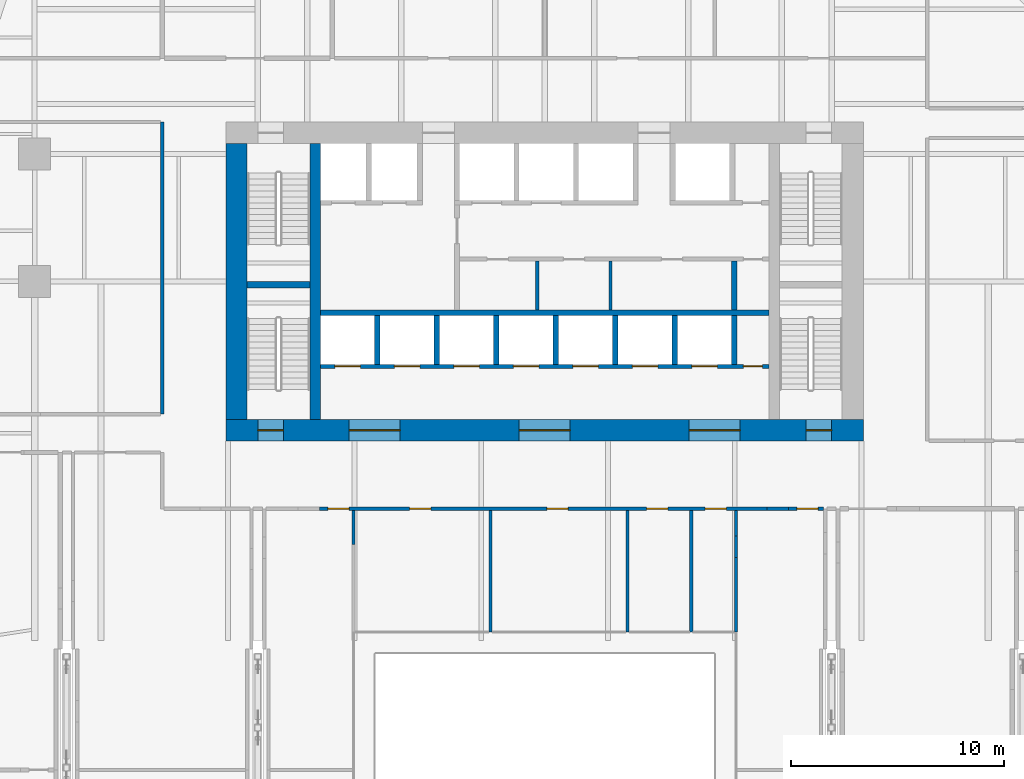
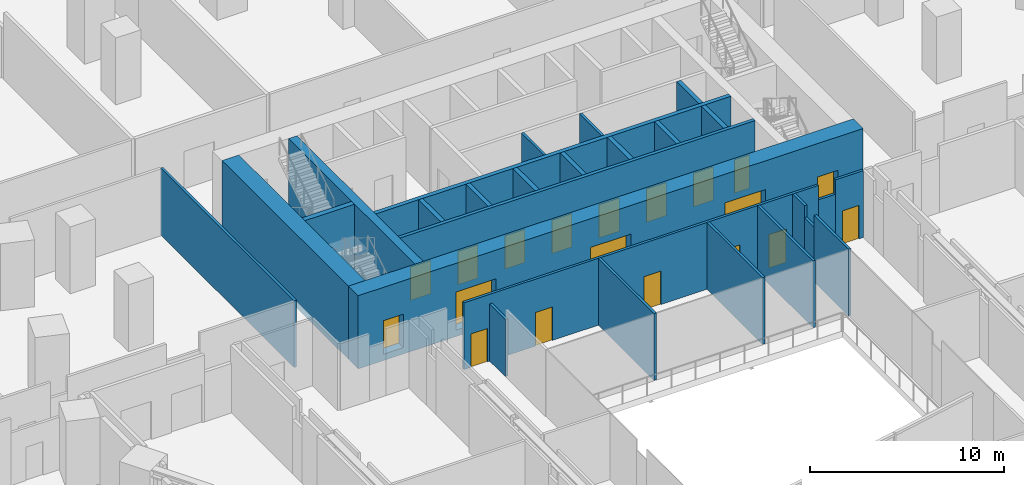
# One storey, part 17 of 32: 27 walls, 19 doors, 19 openings.
"""IFC4 building model written with IfcOpenShell, lengths in metres."""

from ifc_helpers import new_model, si_unit, direction, frame, frame_2d, origin, place, context, subcontext, project, spatial, rectangle, extrude, material, layer, layer_set, type_object, element, fill, save


model = new_model("IFC4")

# Units and contexts
model_context = context("Model", 3, precision=1e-05, world=origin(), true_north=direction((0.0, 1.0)))
body_context = subcontext(model_context, "Body", "Model", "MODEL_VIEW")
ifc_project = project(units=[si_unit("LENGTHUNIT", "METRE"), si_unit("AREAUNIT", "SQUARE_METRE"), si_unit("VOLUMEUNIT", "CUBIC_METRE"), si_unit("PLANEANGLEUNIT", "RADIAN"), si_unit("MASSUNIT", "GRAM", prefix="KILO")], contexts=[model_context])

# Site, building, storey
site_placement = place(None, origin())
site = spatial("IfcSite", under=ifc_project, at=site_placement, CompositionType="ELEMENT")
building_placement = place(site_placement, origin())
building = spatial("IfcBuilding", under=site, at=building_placement, Name="Isthmus Gate Tower", CompositionType="ELEMENT")
storey_placement = place(building_placement, frame((0.0, 0.0, 18.0)))
storey = spatial("IfcBuildingStorey", under=building, at=storey_placement, Name="L02", CompositionType="ELEMENT", Elevation=18.0)

# Wall, openings, doors
ifc_material_1 = material(Name="Gypsum board on cold-formed steel studs", Category="steel")
ifc_layer_1 = layer(ifc_material_1, 0.14990234375)
ifc_layer_set_1 = layer_set([ifc_layer_1])
wall_type_1 = type_object("IfcWallType", Name="Partition 150 gypsum board on steel studs", PredefinedType="PARTITIONING", material=ifc_layer_set_1)
wall_1_placement = place(storey_placement, frame((-10.596435546875, -3.199951171875, 0.0), z_axis=(0.0, 0.0, 1.0), x_axis=(1.0, 0.0, 0.0)))
wall_1 = element("IfcWall", 1, at=wall_1_placement, inside=storey, type_object=wall_type_1, Name="Partition", PredefinedType="PARTITIONING", context=body_context, shape_type="SweptSolid", body=[
    extrude(rectangle(XDim=21.066162109375, YDim=0.14990234375, at=frame_2d((10.533203125, 0.0))), origin(), (0.0, 0.0, 1.0), 4.199951171875),
])
opening_1_placement = place(wall_1_placement, frame((0.39990234375, 0.0, 0.0)))
opening_1 = element("IfcOpeningElement", 2, at=opening_1_placement, cuts=wall_1, Name="Opening DP02-18", PredefinedType="OPENING", context=body_context, shape_type="SweptSolid", body=[
    extrude(rectangle(XDim=1.0, YDim=2.10009765625, at=frame_2d((0.5, 1.050048828125))), frame((0.0, 0.0849609375, 0.0), z_axis=(0.0, -1.0, 0.0), x_axis=(1.0, 0.0, 0.0)), (0.0, 0.0, 1.0), 0.169921875),
])
opening_2_placement = place(wall_1_placement, frame((4.246337890625, 0.0, 0.0)))
opening_2 = element("IfcOpeningElement", 3, at=opening_2_placement, cuts=wall_1, Name="Opening DP02-36", PredefinedType="OPENING", context=body_context, shape_type="SweptSolid", body=[
    extrude(rectangle(XDim=1.0, YDim=2.10009765625, at=frame_2d((0.5, 1.050048828125))), frame((0.0, 0.0849609375, 0.0), z_axis=(0.0, -1.0, 0.0), x_axis=(1.0, 0.0, 0.0)), (0.0, 0.0, 1.0), 0.169921875),
])
opening_3_placement = place(wall_1_placement, frame((10.6962890625, 0.0, 0.0)))
opening_3 = element("IfcOpeningElement", 4, at=opening_3_placement, cuts=wall_1, Name="Opening DP02-37", PredefinedType="OPENING", context=body_context, shape_type="SweptSolid", body=[
    extrude(rectangle(XDim=1.0, YDim=2.10009765625, at=frame_2d((0.5, 1.050048828125))), frame((0.0, 0.0849609375, 0.0), z_axis=(0.0, -1.0, 0.0), x_axis=(1.0, 0.0, 0.0)), (0.0, 0.0, 1.0), 0.169921875),
])
opening_4_placement = place(wall_1_placement, frame((15.396484375, 0.0, 0.0)))
opening_4 = element("IfcOpeningElement", 5, at=opening_4_placement, cuts=wall_1, Name="Opening DP02-38", PredefinedType="OPENING", context=body_context, shape_type="SweptSolid", body=[
    extrude(rectangle(XDim=1.0, YDim=2.10009765625, at=frame_2d((0.5, 1.050048828125))), frame((0.0, 0.0849609375, 0.0), z_axis=(0.0, -1.0, 0.0), x_axis=(1.0, 0.0, 0.0)), (0.0, 0.0, 1.0), 0.169921875),
])
opening_5_placement = place(wall_1_placement, frame((18.146484375, 0.0, 0.0)))
opening_5 = element("IfcOpeningElement", 6, at=opening_5_placement, cuts=wall_1, Name="Opening DP02-39", PredefinedType="OPENING", context=body_context, shape_type="SweptSolid", body=[
    extrude(rectangle(XDim=1.0, YDim=2.10009765625, at=frame_2d((0.5, 1.050048828125))), frame((0.0, 0.0849609375, 0.0), z_axis=(0.0, -1.0, 0.0), x_axis=(1.0, 0.0, 0.0)), (0.0, 0.0, 1.0), 0.169921875),
])
ifc_material_2 = material(Name="Hollow metal frame with solid-core timber leaf", Category="wood")
door_type_1 = type_object("IfcDoorType", Name="Single swing door 1000 x 2100", OperationType="SINGLE_SWING_LEFT", PredefinedType="DOOR", material=ifc_material_2)
door_1_placement = place(opening_1_placement, origin())
door_1 = element("IfcDoor", 7, at=door_1_placement, inside=storey, type_object=door_type_1, Name="Door DP02-18", OperationType="SINGLE_SWING_LEFT", OverallHeight=2.10009765625, OverallWidth=1.0, PredefinedType="DOOR", context=body_context, shape_type="SweptSolid", body=[
    extrude(rectangle(XDim=1.0, YDim=2.10009765625, at=frame_2d((0.5, 1.050048828125))), frame((0.0, 0.02490234375, 0.0), z_axis=(0.0, -1.0, 0.0), x_axis=(1.0, 0.0, 0.0)), (0.0, 0.0, 1.0), 0.050048828125),
])
fill(opening_1, door_1)
door_2_placement = place(opening_2_placement, origin())
door_2 = element("IfcDoor", 8, at=door_2_placement, inside=storey, type_object=door_type_1, Name="Door DP02-36", OperationType="SINGLE_SWING_LEFT", OverallHeight=2.10009765625, OverallWidth=1.0, PredefinedType="DOOR", context=body_context, shape_type="SweptSolid", body=[
    extrude(rectangle(XDim=1.0, YDim=2.10009765625, at=frame_2d((0.5, 1.050048828125))), frame((0.0, 0.02490234375, 0.0), z_axis=(0.0, -1.0, 0.0), x_axis=(1.0, 0.0, 0.0)), (0.0, 0.0, 1.0), 0.050048828125),
])
fill(opening_2, door_2)
door_3_placement = place(opening_3_placement, origin())
door_3 = element("IfcDoor", 9, at=door_3_placement, inside=storey, type_object=door_type_1, Name="Door DP02-37", OperationType="SINGLE_SWING_LEFT", OverallHeight=2.10009765625, OverallWidth=1.0, PredefinedType="DOOR", context=body_context, shape_type="SweptSolid", body=[
    extrude(rectangle(XDim=1.0, YDim=2.10009765625, at=frame_2d((0.5, 1.050048828125))), frame((0.0, 0.02490234375, 0.0), z_axis=(0.0, -1.0, 0.0), x_axis=(1.0, 0.0, 0.0)), (0.0, 0.0, 1.0), 0.050048828125),
])
fill(opening_3, door_3)
door_4_placement = place(opening_4_placement, origin())
door_4 = element("IfcDoor", 10, at=door_4_placement, inside=storey, type_object=door_type_1, Name="Door DP02-38", OperationType="SINGLE_SWING_LEFT", OverallHeight=2.10009765625, OverallWidth=1.0, PredefinedType="DOOR", context=body_context, shape_type="SweptSolid", body=[
    extrude(rectangle(XDim=1.0, YDim=2.10009765625, at=frame_2d((0.5, 1.050048828125))), frame((0.0, 0.02490234375, 0.0), z_axis=(0.0, -1.0, 0.0), x_axis=(1.0, 0.0, 0.0)), (0.0, 0.0, 1.0), 0.050048828125),
])
fill(opening_4, door_4)
door_5_placement = place(opening_5_placement, origin())
door_5 = element("IfcDoor", 11, at=door_5_placement, inside=storey, type_object=door_type_1, Name="Door DP02-39", OperationType="SINGLE_SWING_LEFT", OverallHeight=2.10009765625, OverallWidth=1.0, PredefinedType="DOOR", context=body_context, shape_type="SweptSolid", body=[
    extrude(rectangle(XDim=1.0, YDim=2.10009765625, at=frame_2d((0.5, 1.050048828125))), frame((0.0, 0.02490234375, 0.0), z_axis=(0.0, -1.0, 0.0), x_axis=(1.0, 0.0, 0.0)), (0.0, 0.0, 1.0), 0.050048828125),
])
fill(opening_5, door_5)

# Wall
wall_2_placement = place(storey_placement, frame((10.4697265625, -3.199951171875, 0.0), z_axis=(0.0, 0.0, 1.0), x_axis=(1.0, 0.0, 0.0)))
element("IfcWall", 12, at=wall_2_placement, inside=storey, type_object=wall_type_1, Name="Partition", PredefinedType="PARTITIONING", context=body_context, shape_type="SweptSolid", body=[
    extrude(rectangle(XDim=1.0, YDim=0.14990234375, at=frame_2d((0.5, 0.0))), origin(), (0.0, 0.0, 1.0), 3.29833984375),
])

# Wall, opening, door
wall_3_placement = place(storey_placement, frame((11.4697265625, -3.199951171875, 0.0), z_axis=(0.0, 0.0, 1.0), x_axis=(1.0, 0.0, 0.0)))
wall_3 = element("IfcWall", 13, at=wall_3_placement, inside=storey, type_object=wall_type_1, Name="Partition", PredefinedType="PARTITIONING", context=body_context, shape_type="SweptSolid", body=[
    extrude(rectangle(XDim=1.6552734375, YDim=0.14990234375, at=frame_2d((0.82763671875, 0.0))), origin(), (0.0, 0.0, 1.0), 4.199951171875),
])
opening_6_placement = place(wall_3_placement, frame((0.39990234375, 0.0, 0.0)))
opening_6 = element("IfcOpeningElement", 14, at=opening_6_placement, cuts=wall_3, Name="Opening DP02-24", PredefinedType="OPENING", context=body_context, shape_type="SweptSolid", body=[
    extrude(rectangle(XDim=1.0, YDim=2.10009765625, at=frame_2d((0.5, 1.050048828125))), frame((0.0, 0.0849609375, 0.0), z_axis=(0.0, -1.0, 0.0), x_axis=(1.0, 0.0, 0.0)), (0.0, 0.0, 1.0), 0.169921875),
])
door_6_placement = place(opening_6_placement, origin())
door_6 = element("IfcDoor", 15, at=door_6_placement, inside=storey, type_object=door_type_1, Name="Door DP02-24", OperationType="SINGLE_SWING_LEFT", OverallHeight=2.10009765625, OverallWidth=1.0, PredefinedType="DOOR", context=body_context, shape_type="SweptSolid", body=[
    extrude(rectangle(XDim=1.0, YDim=2.10009765625, at=frame_2d((0.5, 1.050048828125))), frame((0.0, 0.02490234375, 0.0), z_axis=(0.0, -1.0, 0.0), x_axis=(1.0, 0.0, 0.0)), (0.0, 0.0, 1.0), 0.050048828125),
])
fill(opening_6, door_6)

# Walls
wall_4_placement = place(storey_placement, frame((-18.0, 1.251220703125, 0.0), z_axis=(0.0, 0.0, 1.0), x_axis=(0.0, 1.0, 0.0)))
element("IfcWall", 16, at=wall_4_placement, inside=storey, type_object=wall_type_1, Name="Partition", PredefinedType="PARTITIONING", context=body_context, shape_type="SweptSolid", body=[
    extrude(rectangle(XDim=13.748779296875, YDim=0.14990234375, at=frame_2d((6.87451171875, 0.0))), origin(), (0.0, 0.0, 1.0), 4.199951171875),
])
wall_5_placement = place(storey_placement, frame((-9.0, -4.881103515625, 0.0), z_axis=(0.0, 0.0, 1.0), x_axis=(0.0, 1.0, 0.0)))
element("IfcWall", 17, at=wall_5_placement, inside=storey, type_object=wall_type_1, Name="Partition", PredefinedType="PARTITIONING", context=body_context, shape_type="SweptSolid", body=[
    extrude(rectangle(XDim=1.606201171875, YDim=0.14990234375, at=frame_2d((0.80322265625, 0.0))), origin(), (0.0, 0.0, 1.0), 3.599853515625),
])
for number, where, z_axis, x_axis, name in (
    (18, (-2.550048828125, -9.0, 0.0), (0.0, 0.0, 1.0), (0.0, 1.0, 0.0), "Partition"),
    (19, (3.89990234375, -9.0, 0.0), (0.0, 0.0, 1.0), (0.0, 1.0, 0.0), "Partition"),
    (20, (6.89990234375, -9.0, 0.0), (0.0, 0.0, 1.0), (0.0, 1.0, 0.0), "Partition"),
):
    element("IfcWall", number, at=place(storey_placement, frame(where, z_axis=z_axis, x_axis=x_axis)), inside=storey, type_object=wall_type_1, Name=name, PredefinedType="PARTITIONING", context=body_context, shape_type="SweptSolid", body=[
        extrude(rectangle(XDim=5.72509765625, YDim=0.14990234375, at=frame_2d((2.862548828125, 0.0))), origin(), (0.0, 0.0, 1.0), 4.199951171875),
    ])
wall_6_placement = place(storey_placement, frame((9.0, -9.0, 0.0), z_axis=(0.0, 0.0, 1.0), x_axis=(0.0, 1.0, 0.0)))
element("IfcWall", 21, at=wall_6_placement, inside=storey, type_object=wall_type_1, Name="Partition", PredefinedType="PARTITIONING", context=body_context, shape_type="SweptSolid", body=[
    extrude(rectangle(XDim=3.5126953125, YDim=0.14990234375, at=frame_2d((1.75634765625, 0.0))), origin(), (0.0, 0.0, 1.0), 4.199951171875),
])
wall_7_placement = place(storey_placement, frame((9.0, -5.4873046875, 0.0), z_axis=(0.0, 0.0, 1.0), x_axis=(0.0, 1.0, 0.0)))
element("IfcWall", 22, at=wall_7_placement, inside=storey, type_object=wall_type_1, Name="Partition", PredefinedType="PARTITIONING", context=body_context, shape_type="SweptSolid", body=[
    extrude(rectangle(XDim=1.0, YDim=0.14990234375, at=frame_2d((0.5, 0.0))), origin(), (0.0, 0.0, 1.0), 3.45068359375),
])
wall_8_placement = place(storey_placement, frame((9.0, -4.4873046875, 0.0), z_axis=(0.0, 0.0, 1.0), x_axis=(0.0, 1.0, 0.0)))
element("IfcWall", 23, at=wall_8_placement, inside=storey, type_object=wall_type_1, Name="Partition", PredefinedType="PARTITIONING", context=body_context, shape_type="SweptSolid", body=[
    extrude(rectangle(XDim=1.21240234375, YDim=0.14990234375, at=frame_2d((0.606201171875, 0.0))), origin(), (0.0, 0.0, 1.0), 4.199951171875),
])
ifc_material_3 = material(Name="Concrete f'c 70 MPa", Category="concrete")
ifc_layer_2 = layer(ifc_material_3, 0.5)
ifc_layer_set_2 = layer_set([ifc_layer_2], Name="RC CORE SPINE WALL 500 F'C 70")
wall_type_2 = type_object("IfcWallType", Name="RC CORE SPINE WALL 500 F'C 70", PredefinedType="SOLIDWALL", material=ifc_layer_set_2)
wall_9_placement = place(storey_placement, frame((-10.800048828125, 1.0, -0.39990234375), z_axis=(0.0, 0.0, 1.0), x_axis=(0.0, 1.0, 0.0)))
element("IfcWall", 24, at=wall_9_placement, inside=storey, type_object=wall_type_2, Name="str-corewall-L02-SPW", PredefinedType="SOLIDWALL", context=body_context, shape_type="SweptSolid", body=[
    extrude(rectangle(XDim=13.0, YDim=0.5, at=frame_2d((6.5, 0.0))), origin(), (0.0, 0.0, 1.0), 4.599853515625),
])

# Wall, openings, doors
ifc_material_4 = material(Name="Concrete f'c 70 MPa", Category="concrete")
ifc_layer_3 = layer(ifc_material_4, 1.0)
ifc_layer_set_3 = layer_set([ifc_layer_3], Name="RC CORE WALL 1000 F'C 70")
wall_type_3 = type_object("IfcWallType", Name="RC CORE WALL 1000 F'C 70", PredefinedType="SOLIDWALL", material=ifc_layer_set_3)
wall_10_placement = place(storey_placement, frame((-15.0, 0.5, -0.39990234375), z_axis=(0.0, 0.0, 1.0), x_axis=(1.0, 0.0, 0.0)))
wall_10 = element("IfcWall", 25, at=wall_10_placement, inside=storey, type_object=wall_type_3, Name="str-corewall-L02-S", PredefinedType="SOLIDWALL", context=body_context, shape_type="SweptSolid", body=[
    extrude(rectangle(XDim=30.0, YDim=1.0, at=frame_2d((15.0, 0.0))), origin(), (0.0, 0.0, 1.0), 4.599853515625),
])
opening_7_placement = place(wall_10_placement, frame((5.800048828125, 0.0, 0.39990234375)))
opening_7 = element("IfcOpeningElement", 26, at=opening_7_placement, cuts=wall_10, Name="Opening DC-A03-08", PredefinedType="OPENING", context=body_context, shape_type="SweptSolid", body=[
    extrude(rectangle(XDim=2.39990234375, YDim=2.39990234375, at=frame_2d((1.199951171875, 1.199951171875))), frame((0.0, 0.510009765625, 0.0), z_axis=(0.0, -1.0, 0.0), x_axis=(1.0, 0.0, 0.0)), (0.0, 0.0, 1.0), 1.02001953125),
])
opening_8_placement = place(wall_10_placement, frame((13.800048828125, 0.0, 0.39990234375)))
opening_8 = element("IfcOpeningElement", 27, at=opening_8_placement, cuts=wall_10, Name="Opening DC-A03-09", PredefinedType="OPENING", context=body_context, shape_type="SweptSolid", body=[
    extrude(rectangle(XDim=2.39990234375, YDim=2.39990234375, at=frame_2d((1.199951171875, 1.199951171875))), frame((0.0, 0.510009765625, 0.0), z_axis=(0.0, -1.0, 0.0), x_axis=(1.0, 0.0, 0.0)), (0.0, 0.0, 1.0), 1.02001953125),
])
opening_9_placement = place(wall_10_placement, frame((21.800048828125, 0.0, 0.39990234375)))
opening_9 = element("IfcOpeningElement", 28, at=opening_9_placement, cuts=wall_10, Name="Opening DC-A03-10", PredefinedType="OPENING", context=body_context, shape_type="SweptSolid", body=[
    extrude(rectangle(XDim=2.39990234375, YDim=2.39990234375, at=frame_2d((1.199951171875, 1.199951171875))), frame((0.0, 0.510009765625, 0.0), z_axis=(0.0, -1.0, 0.0), x_axis=(1.0, 0.0, 0.0)), (0.0, 0.0, 1.0), 1.02001953125),
])
opening_10_placement = place(wall_10_placement, frame((1.5, 0.0, 0.39990234375)))
opening_10 = element("IfcOpeningElement", 29, at=opening_10_placement, cuts=wall_10, Name="Opening DC-A03-15", PredefinedType="OPENING", context=body_context, shape_type="SweptSolid", body=[
    extrude(rectangle(XDim=1.199951171875, YDim=2.10009765625, at=frame_2d((0.60009765625, 1.050048828125))), frame((0.0, 0.510009765625, 0.0), z_axis=(0.0, -1.0, 0.0), x_axis=(1.0, 0.0, 0.0)), (0.0, 0.0, 1.0), 1.02001953125),
])
opening_11_placement = place(wall_10_placement, frame((27.300048828125, 0.0, 0.39990234375)))
opening_11 = element("IfcOpeningElement", 30, at=opening_11_placement, cuts=wall_10, Name="Opening DC-A03-16", PredefinedType="OPENING", context=body_context, shape_type="SweptSolid", body=[
    extrude(rectangle(XDim=1.199951171875, YDim=2.10009765625, at=frame_2d((0.60009765625, 1.050048828125))), frame((0.0, 0.510009765625, 0.0), z_axis=(0.0, -1.0, 0.0), x_axis=(1.0, 0.0, 0.0)), (0.0, 0.0, 1.0), 1.02001953125),
])
ifc_material_5 = material(Name="Laminated safety glass in steel frame, fire-rated", Category="steel")
door_type_2 = type_object("IfcDoorType", Name="LOBBY ENTRANCE FIRE DOOR 2400 X 2400 60 MIN", OperationType="DOUBLE_DOOR_DOUBLE_SWING", PredefinedType="DOOR", material=ifc_material_5)
door_7_placement = place(opening_7_placement, origin())
door_7 = element("IfcDoor", 31, at=door_7_placement, inside=storey, type_object=door_type_2, Name="Lobby Entrance PS-W", OperationType="DOUBLE_DOOR_DOUBLE_SWING", OverallHeight=2.39990234375, OverallWidth=2.39990234375, PredefinedType="DOOR", context=body_context, shape_type="SweptSolid", body=[
    extrude(rectangle(XDim=2.39990234375, YDim=2.39990234375, at=frame_2d((1.199951171875, 1.199951171875))), frame((0.0, 0.02490234375, 0.0), z_axis=(0.0, -1.0, 0.0), x_axis=(1.0, 0.0, 0.0)), (0.0, 0.0, 1.0), 0.050048828125),
])
fill(opening_7, door_7)
door_8_placement = place(opening_8_placement, origin())
door_8 = element("IfcDoor", 32, at=door_8_placement, inside=storey, type_object=door_type_2, Name="Lobby Entrance PS-C", OperationType="DOUBLE_DOOR_DOUBLE_SWING", OverallHeight=2.39990234375, OverallWidth=2.39990234375, PredefinedType="DOOR", context=body_context, shape_type="SweptSolid", body=[
    extrude(rectangle(XDim=2.39990234375, YDim=2.39990234375, at=frame_2d((1.199951171875, 1.199951171875))), frame((0.0, 0.02490234375, 0.0), z_axis=(0.0, -1.0, 0.0), x_axis=(1.0, 0.0, 0.0)), (0.0, 0.0, 1.0), 0.050048828125),
])
fill(opening_8, door_8)
door_9_placement = place(opening_9_placement, origin())
door_9 = element("IfcDoor", 33, at=door_9_placement, inside=storey, type_object=door_type_2, Name="Lobby Entrance PS-E", OperationType="DOUBLE_DOOR_DOUBLE_SWING", OverallHeight=2.39990234375, OverallWidth=2.39990234375, PredefinedType="DOOR", context=body_context, shape_type="SweptSolid", body=[
    extrude(rectangle(XDim=2.39990234375, YDim=2.39990234375, at=frame_2d((1.199951171875, 1.199951171875))), frame((0.0, 0.02490234375, 0.0), z_axis=(0.0, -1.0, 0.0), x_axis=(1.0, 0.0, 0.0)), (0.0, 0.0, 1.0), 0.050048828125),
])
fill(opening_9, door_9)
ifc_material_6 = material(Name="Steel door leaf, fire-rated", Category="steel")
door_type_3 = type_object("IfcDoorType", Name="STAIR FIRE DOOR 1200 X 2100 90 MIN", OperationType="SINGLE_SWING_LEFT", PredefinedType="DOOR", material=ifc_material_6)
door_10_placement = place(opening_10_placement, origin())
door_10 = element("IfcDoor", 34, at=door_10_placement, inside=storey, type_object=door_type_3, Name="Exit Stair 7 Door", OperationType="SINGLE_SWING_LEFT", OverallHeight=2.10009765625, OverallWidth=1.199951171875, PredefinedType="DOOR", context=body_context, shape_type="SweptSolid", body=[
    extrude(rectangle(XDim=1.199951171875, YDim=2.10009765625, at=frame_2d((0.60009765625, 1.050048828125))), frame((0.0, 0.02490234375, 0.0), z_axis=(0.0, -1.0, 0.0), x_axis=(1.0, 0.0, 0.0)), (0.0, 0.0, 1.0), 0.050048828125),
])
fill(opening_10, door_10)
door_11_placement = place(opening_11_placement, origin())
door_11 = element("IfcDoor", 35, at=door_11_placement, inside=storey, type_object=door_type_3, Name="Exit Stair 8 Door", OperationType="SINGLE_SWING_RIGHT", OverallHeight=2.10009765625, OverallWidth=1.199951171875, PredefinedType="DOOR", context=body_context, shape_type="SweptSolid", body=[
    extrude(rectangle(XDim=1.199951171875, YDim=2.10009765625, at=frame_2d((0.60009765625, 1.050048828125))), frame((0.0, 0.02490234375, 0.0), z_axis=(0.0, -1.0, 0.0), x_axis=(1.0, 0.0, 0.0)), (0.0, 0.0, 1.0), 0.050048828125),
])
fill(opening_11, door_11)

# Walls
wall_11_placement = place(storey_placement, frame((-14.5, 1.0, -0.39990234375), z_axis=(0.0, 0.0, 1.0), x_axis=(0.0, 1.0, 0.0)))
element("IfcWall", 36, at=wall_11_placement, inside=storey, type_object=wall_type_3, Name="str-corewall-L02-W", PredefinedType="SOLIDWALL", context=body_context, shape_type="SweptSolid", body=[
    extrude(rectangle(XDim=13.0, YDim=1.0, at=frame_2d((6.5, 0.0))), origin(), (0.0, 0.0, 1.0), 4.599853515625),
])
ifc_material_7 = material(Name="Gypsum board on steel studs, fire-rated", Category="steel")
ifc_layer_4 = layer(ifc_material_7, 0.14990234375)
ifc_layer_set_4 = layer_set([ifc_layer_4], Name="ROOM PARTITION 150 60 MIN")
wall_type_4 = type_object("IfcWallType", Name="ROOM PARTITION 150 60 MIN", PredefinedType="PARTITIONING", material=ifc_layer_set_4)
for number, where, z_axis, x_axis, name in (
    (37, (-0.35009765625, 6.14990234375, 0.0), (0.0, 0.0, 1.0), (0.0, 1.0, 0.0), "L02 ROOM PARTITION 150 60 MIN"),
    (38, (3.10009765625, 6.14990234375, 0.0), (0.0, 0.0, 1.0), (0.0, 1.0, 0.0), "L02 ROOM PARTITION 150 60 MIN"),
):
    element("IfcWall", number, at=place(storey_placement, frame(where, z_axis=z_axis, x_axis=x_axis)), inside=storey, type_object=wall_type_4, Name=name, PredefinedType="PARTITIONING", context=body_context, shape_type="SweptSolid", body=[
        extrude(rectangle(XDim=2.300048828125, YDim=0.14990234375, at=frame_2d((1.14990234375, 0.0))), origin(), (0.0, 0.0, 1.0), 4.199951171875),
    ])

# Wall, openings, doors
ifc_material_8 = material(Name="Fire-rated blockwork masonry, 15 MPa", Category="masonry")
ifc_layer_5 = layer(ifc_material_8, 0.199951171875)
ifc_layer_set_5 = layer_set([ifc_layer_5], Name="SHAFT FRONT WALL 200 120 MIN")
wall_type_5 = type_object("IfcWallType", Name="SHAFT FRONT WALL 200 120 MIN", PredefinedType="PARTITIONING", material=ifc_layer_set_5)
wall_12_placement = place(storey_placement, frame((-10.550048828125, 3.5, 0.0), z_axis=(0.0, 0.0, 1.0), x_axis=(1.0, 0.0, 0.0)))
wall_12 = element("IfcWall", 39, at=wall_12_placement, inside=storey, type_object=wall_type_5, Name="L02 SHAFT FRONT WALL 200 120 MIN", PredefinedType="PARTITIONING", context=body_context, shape_type="SweptSolid", body=[
    extrude(rectangle(XDim=21.10009765625, YDim=0.199951171875, at=frame_2d((10.550048828125, 0.0))), origin(), (0.0, 0.0, 1.0), 4.199951171875),
])
opening_12_placement = place(wall_12_placement, frame((0.675048828125, 0.0, 0.0)))
opening_12 = element("IfcOpeningElement", 40, at=opening_12_placement, cuts=wall_12, Name="Opening LD-LA1", PredefinedType="OPENING", context=body_context, shape_type="SweptSolid", body=[
    extrude(rectangle(XDim=1.199951171875, YDim=2.10009765625, at=frame_2d((0.60009765625, 1.050048828125))), frame((0.0, 0.10986328125, 0.0), z_axis=(0.0, -1.0, 0.0), x_axis=(1.0, 0.0, 0.0)), (0.0, 0.0, 1.0), 0.219970703125),
])
opening_13_placement = place(wall_12_placement, frame((3.47509765625, 0.0, 0.0)))
opening_13 = element("IfcOpeningElement", 41, at=opening_13_placement, cuts=wall_12, Name="Opening LD-LA2", PredefinedType="OPENING", context=body_context, shape_type="SweptSolid", body=[
    extrude(rectangle(XDim=1.199951171875, YDim=2.10009765625, at=frame_2d((0.60009765625, 1.050048828125))), frame((0.0, 0.10986328125, 0.0), z_axis=(0.0, -1.0, 0.0), x_axis=(1.0, 0.0, 0.0)), (0.0, 0.0, 1.0), 0.219970703125),
])
opening_14_placement = place(wall_12_placement, frame((6.27490234375, 0.0, 0.0)))
opening_14 = element("IfcOpeningElement", 42, at=opening_14_placement, cuts=wall_12, Name="Opening LD-LA3", PredefinedType="OPENING", context=body_context, shape_type="SweptSolid", body=[
    extrude(rectangle(XDim=1.199951171875, YDim=2.10009765625, at=frame_2d((0.60009765625, 1.050048828125))), frame((0.0, 0.10986328125, 0.0), z_axis=(0.0, -1.0, 0.0), x_axis=(1.0, 0.0, 0.0)), (0.0, 0.0, 1.0), 0.219970703125),
])
opening_15_placement = place(wall_12_placement, frame((9.074951171875, 0.0, 0.0)))
opening_15 = element("IfcOpeningElement", 43, at=opening_15_placement, cuts=wall_12, Name="Opening LD-LA4", PredefinedType="OPENING", context=body_context, shape_type="SweptSolid", body=[
    extrude(rectangle(XDim=1.199951171875, YDim=2.10009765625, at=frame_2d((0.60009765625, 1.050048828125))), frame((0.0, 0.10986328125, 0.0), z_axis=(0.0, -1.0, 0.0), x_axis=(1.0, 0.0, 0.0)), (0.0, 0.0, 1.0), 0.219970703125),
])
opening_16_placement = place(wall_12_placement, frame((11.875, 0.0, 0.0)))
opening_16 = element("IfcOpeningElement", 44, at=opening_16_placement, cuts=wall_12, Name="Opening LD-LA5", PredefinedType="OPENING", context=body_context, shape_type="SweptSolid", body=[
    extrude(rectangle(XDim=1.199951171875, YDim=2.10009765625, at=frame_2d((0.60009765625, 1.050048828125))), frame((0.0, 0.10986328125, 0.0), z_axis=(0.0, -1.0, 0.0), x_axis=(1.0, 0.0, 0.0)), (0.0, 0.0, 1.0), 0.219970703125),
])
opening_17_placement = place(wall_12_placement, frame((14.675048828125, 0.0, 0.0)))
opening_17 = element("IfcOpeningElement", 45, at=opening_17_placement, cuts=wall_12, Name="Opening LD-LA6", PredefinedType="OPENING", context=body_context, shape_type="SweptSolid", body=[
    extrude(rectangle(XDim=1.199951171875, YDim=2.10009765625, at=frame_2d((0.60009765625, 1.050048828125))), frame((0.0, 0.10986328125, 0.0), z_axis=(0.0, -1.0, 0.0), x_axis=(1.0, 0.0, 0.0)), (0.0, 0.0, 1.0), 0.219970703125),
])
opening_18_placement = place(wall_12_placement, frame((17.47509765625, 0.0, 0.0)))
opening_18 = element("IfcOpeningElement", 46, at=opening_18_placement, cuts=wall_12, Name="Opening LD-LA7", PredefinedType="OPENING", context=body_context, shape_type="SweptSolid", body=[
    extrude(rectangle(XDim=1.199951171875, YDim=2.10009765625, at=frame_2d((0.60009765625, 1.050048828125))), frame((0.0, 0.10986328125, 0.0), z_axis=(0.0, -1.0, 0.0), x_axis=(1.0, 0.0, 0.0)), (0.0, 0.0, 1.0), 0.219970703125),
])
opening_19_placement = place(wall_12_placement, frame((19.89990234375, 0.0, 0.0)))
opening_19 = element("IfcOpeningElement", 47, at=opening_19_placement, cuts=wall_12, Name="Opening DC-A03-02", PredefinedType="OPENING", context=body_context, shape_type="SweptSolid", body=[
    extrude(rectangle(XDim=0.89990234375, YDim=2.10009765625, at=frame_2d((0.449951171875, 1.050048828125))), frame((0.0, 0.10986328125, 0.0), z_axis=(0.0, -1.0, 0.0), x_axis=(1.0, 0.0, 0.0)), (0.0, 0.0, 1.0), 0.219970703125),
])
ifc_material_9 = material(Name="Stainless steel sliding leaf", Category="steel")
door_type_4 = type_object("IfcDoorType", Name="LIFT LANDING FIRE DOOR 1200 X 2100 90 MIN", OperationType="DOUBLE_DOOR_SLIDING", PredefinedType="DOOR", material=ifc_material_9)
door_12_placement = place(opening_12_placement, origin())
door_12 = element("IfcDoor", 48, at=door_12_placement, inside=storey, type_object=door_type_4, Name="Lift Landing Door LA1", OperationType="DOUBLE_DOOR_SLIDING", OverallHeight=2.10009765625, OverallWidth=1.199951171875, PredefinedType="DOOR", context=body_context, shape_type="SweptSolid", body=[
    extrude(rectangle(XDim=1.199951171875, YDim=2.10009765625, at=frame_2d((0.60009765625, 1.050048828125))), frame((0.0, 0.02490234375, 0.0), z_axis=(0.0, -1.0, 0.0), x_axis=(1.0, 0.0, 0.0)), (0.0, 0.0, 1.0), 0.050048828125),
])
fill(opening_12, door_12)
door_13_placement = place(opening_13_placement, origin())
door_13 = element("IfcDoor", 49, at=door_13_placement, inside=storey, type_object=door_type_4, Name="Lift Landing Door LA2", OperationType="DOUBLE_DOOR_SLIDING", OverallHeight=2.10009765625, OverallWidth=1.199951171875, PredefinedType="DOOR", context=body_context, shape_type="SweptSolid", body=[
    extrude(rectangle(XDim=1.199951171875, YDim=2.10009765625, at=frame_2d((0.60009765625, 1.050048828125))), frame((0.0, 0.02490234375, 0.0), z_axis=(0.0, -1.0, 0.0), x_axis=(1.0, 0.0, 0.0)), (0.0, 0.0, 1.0), 0.050048828125),
])
fill(opening_13, door_13)
door_14_placement = place(opening_14_placement, origin())
door_14 = element("IfcDoor", 50, at=door_14_placement, inside=storey, type_object=door_type_4, Name="Lift Landing Door LA3", OperationType="DOUBLE_DOOR_SLIDING", OverallHeight=2.10009765625, OverallWidth=1.199951171875, PredefinedType="DOOR", context=body_context, shape_type="SweptSolid", body=[
    extrude(rectangle(XDim=1.199951171875, YDim=2.10009765625, at=frame_2d((0.60009765625, 1.050048828125))), frame((0.0, 0.02490234375, 0.0), z_axis=(0.0, -1.0, 0.0), x_axis=(1.0, 0.0, 0.0)), (0.0, 0.0, 1.0), 0.050048828125),
])
fill(opening_14, door_14)
door_15_placement = place(opening_15_placement, origin())
door_15 = element("IfcDoor", 51, at=door_15_placement, inside=storey, type_object=door_type_4, Name="Lift Landing Door LA4", OperationType="DOUBLE_DOOR_SLIDING", OverallHeight=2.10009765625, OverallWidth=1.199951171875, PredefinedType="DOOR", context=body_context, shape_type="SweptSolid", body=[
    extrude(rectangle(XDim=1.199951171875, YDim=2.10009765625, at=frame_2d((0.60009765625, 1.050048828125))), frame((0.0, 0.02490234375, 0.0), z_axis=(0.0, -1.0, 0.0), x_axis=(1.0, 0.0, 0.0)), (0.0, 0.0, 1.0), 0.050048828125),
])
fill(opening_15, door_15)
door_16_placement = place(opening_16_placement, origin())
door_16 = element("IfcDoor", 52, at=door_16_placement, inside=storey, type_object=door_type_4, Name="Lift Landing Door LA5", OperationType="DOUBLE_DOOR_SLIDING", OverallHeight=2.10009765625, OverallWidth=1.199951171875, PredefinedType="DOOR", context=body_context, shape_type="SweptSolid", body=[
    extrude(rectangle(XDim=1.199951171875, YDim=2.10009765625, at=frame_2d((0.60009765625, 1.050048828125))), frame((0.0, 0.02490234375, 0.0), z_axis=(0.0, -1.0, 0.0), x_axis=(1.0, 0.0, 0.0)), (0.0, 0.0, 1.0), 0.050048828125),
])
fill(opening_16, door_16)
door_17_placement = place(opening_17_placement, origin())
door_17 = element("IfcDoor", 53, at=door_17_placement, inside=storey, type_object=door_type_4, Name="Lift Landing Door LA6", OperationType="DOUBLE_DOOR_SLIDING", OverallHeight=2.10009765625, OverallWidth=1.199951171875, PredefinedType="DOOR", context=body_context, shape_type="SweptSolid", body=[
    extrude(rectangle(XDim=1.199951171875, YDim=2.10009765625, at=frame_2d((0.60009765625, 1.050048828125))), frame((0.0, 0.02490234375, 0.0), z_axis=(0.0, -1.0, 0.0), x_axis=(1.0, 0.0, 0.0)), (0.0, 0.0, 1.0), 0.050048828125),
])
fill(opening_17, door_17)
door_18_placement = place(opening_18_placement, origin())
door_18 = element("IfcDoor", 54, at=door_18_placement, inside=storey, type_object=door_type_4, Name="Lift Landing Door LA7", OperationType="DOUBLE_DOOR_SLIDING", OverallHeight=2.10009765625, OverallWidth=1.199951171875, PredefinedType="DOOR", context=body_context, shape_type="SweptSolid", body=[
    extrude(rectangle(XDim=1.199951171875, YDim=2.10009765625, at=frame_2d((0.60009765625, 1.050048828125))), frame((0.0, 0.02490234375, 0.0), z_axis=(0.0, -1.0, 0.0), x_axis=(1.0, 0.0, 0.0)), (0.0, 0.0, 1.0), 0.050048828125),
])
fill(opening_18, door_18)
ifc_material_10 = material(Name="Steel door leaf, fire-rated", Category="steel")
door_type_5 = type_object("IfcDoorType", Name="RISER FIRE DOOR 900 X 2100 90 MIN", OperationType="SINGLE_SWING_LEFT", PredefinedType="DOOR", material=ifc_material_10)
door_19_placement = place(opening_19_placement, origin())
door_19 = element("IfcDoor", 55, at=door_19_placement, inside=storey, type_object=door_type_5, Name="Riser Door", OperationType="SINGLE_SWING_RIGHT", OverallHeight=2.10009765625, OverallWidth=0.89990234375, PredefinedType="DOOR", context=body_context, shape_type="SweptSolid", body=[
    extrude(rectangle(XDim=0.89990234375, YDim=2.10009765625, at=frame_2d((0.449951171875, 1.050048828125))), frame((0.0, 0.02490234375, 0.0), z_axis=(0.0, -1.0, 0.0), x_axis=(1.0, 0.0, 0.0)), (0.0, 0.0, 1.0), 0.050048828125),
])
fill(opening_19, door_19)

# Walls
ifc_material_11 = material(Name="Fire-rated blockwork masonry, 15 MPa", Category="masonry")
ifc_layer_6 = layer(ifc_material_11, 0.25)
ifc_layer_set_6 = layer_set([ifc_layer_6], Name="SHAFT WALL 250 120 MIN")
wall_type_6 = type_object("IfcWallType", Name="SHAFT WALL 250 120 MIN", PredefinedType="PARTITIONING", material=ifc_layer_set_6)
wall_13_placement = place(storey_placement, frame((-10.550048828125, 6.02490234375, 0.0), z_axis=(0.0, 0.0, 1.0), x_axis=(1.0, 0.0, 0.0)))
element("IfcWall", 56, at=wall_13_placement, inside=storey, type_object=wall_type_6, Name="L02 SHAFT WALL 250 120 MIN", PredefinedType="PARTITIONING", context=body_context, shape_type="SweptSolid", body=[
    extrude(rectangle(XDim=21.10009765625, YDim=0.25, at=frame_2d((10.550048828125, 0.0))), origin(), (0.0, 0.0, 1.0), 4.199951171875),
])
for number, where, z_axis, x_axis, name in (
    (57, (-7.875, 3.60009765625, 0.0), (0.0, 0.0, 1.0), (0.0, 1.0, 0.0), "L02 SHAFT WALL 250 120 MIN"),
    (58, (-5.074951171875, 3.60009765625, 0.0), (0.0, 0.0, 1.0), (0.0, 1.0, 0.0), "L02 SHAFT WALL 250 120 MIN"),
    (59, (-2.27490234375, 3.60009765625, 0.0), (0.0, 0.0, 1.0), (0.0, 1.0, 0.0), "L02 SHAFT WALL 250 120 MIN"),
    (60, (0.52490234375, 3.60009765625, 0.0), (0.0, 0.0, 1.0), (0.0, 1.0, 0.0), "L02 SHAFT WALL 250 120 MIN"),
    (61, (3.324951171875, 3.60009765625, 0.0), (0.0, 0.0, 1.0), (0.0, 1.0, 0.0), "L02 SHAFT WALL 250 120 MIN"),
    (62, (6.125, 3.60009765625, 0.0), (0.0, 0.0, 1.0), (0.0, 1.0, 0.0), "L02 SHAFT WALL 250 120 MIN"),
    (63, (8.925048828125, 3.60009765625, 0.0), (0.0, 0.0, 1.0), (0.0, 1.0, 0.0), "L02 SHAFT WALL 250 120 MIN"),
):
    element("IfcWall", number, at=place(storey_placement, frame(where, z_axis=z_axis, x_axis=x_axis)), inside=storey, type_object=wall_type_6, Name=name, PredefinedType="PARTITIONING", context=body_context, shape_type="SweptSolid", body=[
        extrude(rectangle(XDim=2.2998046875, YDim=0.25, at=frame_2d((1.14990234375, 0.0))), origin(), (0.0, 0.0, 1.0), 4.199951171875),
    ])
wall_14_placement = place(storey_placement, frame((8.925048828125, 6.14990234375, 0.0), z_axis=(0.0, 0.0, 1.0), x_axis=(0.0, 1.0, 0.0)))
element("IfcWall", 64, at=wall_14_placement, inside=storey, type_object=wall_type_6, Name="L02 SHAFT WALL 250 120 MIN", PredefinedType="PARTITIONING", context=body_context, shape_type="SweptSolid", body=[
    extrude(rectangle(XDim=2.300048828125, YDim=0.25, at=frame_2d((1.14990234375, 0.0))), origin(), (0.0, 0.0, 1.0), 4.199951171875),
])
ifc_material_12 = material(Name="Concrete f'c 40 MPa", Category="concrete")
ifc_layer_7 = layer(ifc_material_12, 0.300048828125)
ifc_layer_set_7 = layer_set([ifc_layer_7], Name="STAIR ENCLOSURE WALL 300 180 MIN")
wall_type_7 = type_object("IfcWallType", Name="STAIR ENCLOSURE WALL 300 180 MIN", PredefinedType="SOLIDWALL", material=ifc_layer_set_7)
wall_15_placement = place(storey_placement, frame((-14.0, 7.35009765625, -0.39990234375), z_axis=(0.0, 0.0, 1.0), x_axis=(1.0, 0.0, 0.0)))
element("IfcWall", 65, at=wall_15_placement, inside=storey, type_object=wall_type_7, Name="L02 STAIR ENCLOSURE WALL 300 180 MIN", PredefinedType="SOLIDWALL", context=body_context, shape_type="SweptSolid", body=[
    extrude(rectangle(XDim=2.949951171875, YDim=0.300048828125, at=frame_2d((1.47509765625, 0.0))), origin(), (0.0, 0.0, 1.0), 4.599853515625),
])

save(model, "model.ifc")
